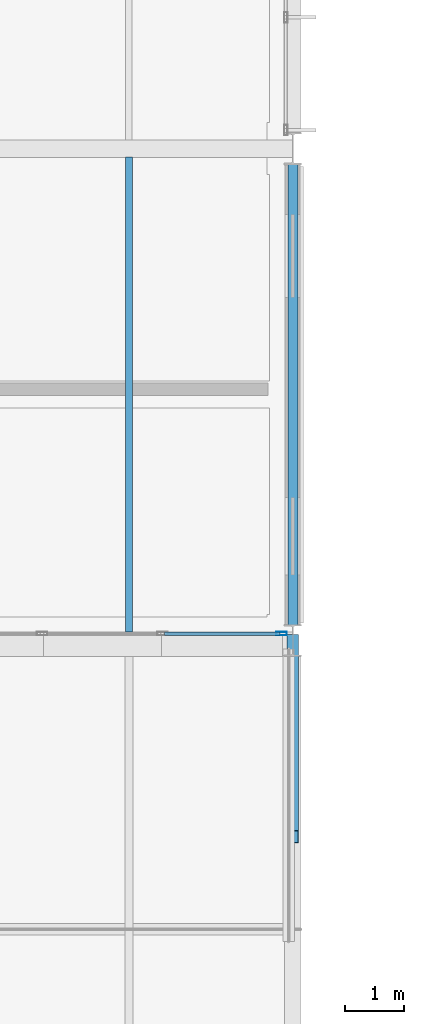
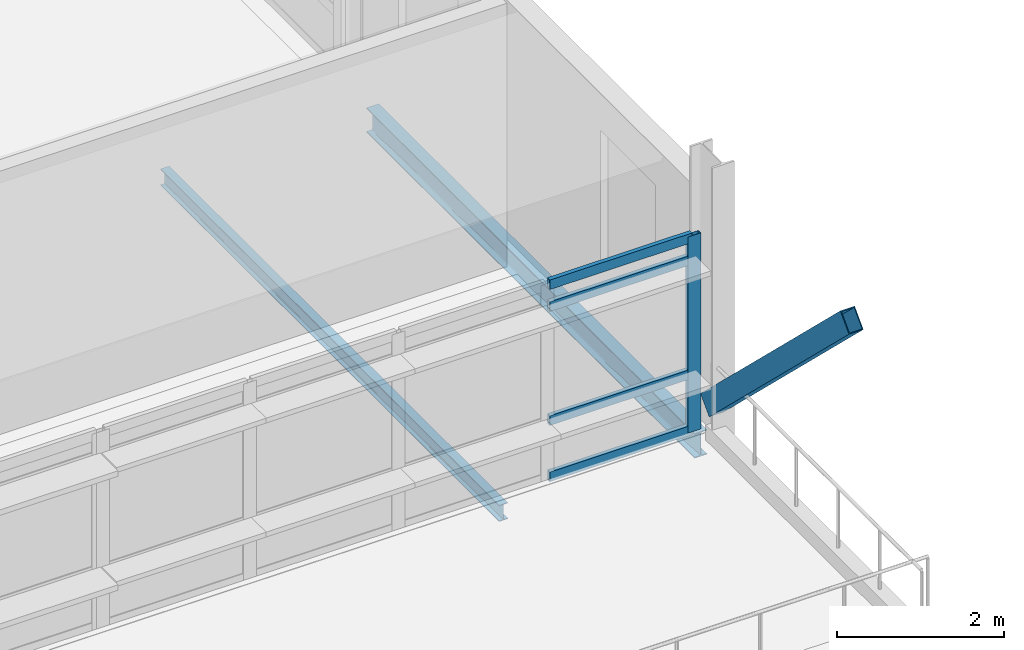
# One storey, part 34 of 103: 6 members, 2 beams, 1 element without a shape of its own.
"""IFC4 building model written with IfcOpenShell, lengths in metres."""

from ifc_helpers import new_model, si_unit, direction, frame, origin, origin_2d, place, context, subcontext, project, spatial, hollow_rectangle, i_section, extrude, material, material_profile, profile_set, type_object, element, aggregate, save


model = new_model("IFC4")

# Units and contexts
model_context = context("Model", 3, precision=1e-05, world=origin(), true_north=direction((0.0, 1.0)))
body_context = subcontext(model_context, "Body", "Model", "MODEL_VIEW")
ifc_project = project(units=[si_unit("LENGTHUNIT", "METRE"), si_unit("AREAUNIT", "SQUARE_METRE"), si_unit("VOLUMEUNIT", "CUBIC_METRE"), si_unit("PLANEANGLEUNIT", "RADIAN"), si_unit("MASSUNIT", "GRAM", prefix="KILO")], contexts=[model_context])

# Site, building, storey
site_placement = place(None, origin())
site = spatial("IfcSite", under=ifc_project, at=site_placement, CompositionType="ELEMENT")
building_placement = place(site_placement, origin())
building = spatial("IfcBuilding", under=site, at=building_placement, Name="Mersafa Astral City Hall", CompositionType="ELEMENT")
storey_placement = place(building_placement, frame((0.0, 0.0, 18.0)))
storey = spatial("IfcBuildingStorey", under=building, at=storey_placement, Name="L04", CompositionType="ELEMENT", Elevation=18.0)

# Curtain wall, members
ifc_material_1 = material(Name="Anodised bronze aluminium framing", Category="aluminium")
curtain_wall_type = type_object("IfcCurtainWallType", Name="ENV-CW-4", PredefinedType="USERDEFINED", material=ifc_material_1)
curtain_wall_placement = place(storey_placement, origin())
curtain_wall = element("IfcCurtainWall", 1, at=curtain_wall_placement, inside=storey, type_object=curtain_wall_type, Name="L04 Unitised solar curtain wall 213", ObjectType="UNITISED CURTAIN WALL", PredefinedType="USERDEFINED")
ifc_material_profile_1 = material_profile(ifc_material_1, hollow_rectangle(XDim=0.06005859375, YDim=0.179931640625, WallThickness=0.00390625, at=origin_2d()), Name="RHS 60x180x4")
ifc_profile_set_1 = profile_set([ifc_material_profile_1], Name="Anodised bronze aluminium framing")
member_type_1 = type_object("IfcMemberType", Name="ENV-CW-MUL-1", PredefinedType="MULLION", material=ifc_profile_set_1)
member_1_placement = place(storey_placement, frame((117.407958984375, 67.320068359375, -0.001953125), z_axis=(0.0, 0.0, 1.0), x_axis=(0.0, 1.0, 0.0)))
member_1 = element("IfcMember", 2, at=member_1_placement, type_object=member_type_1, Name="CW-4 mullion 5", PredefinedType="MULLION", context=body_context, shape_type="SweptSolid", body=[
    extrude(hollow_rectangle(XDim=0.06005859375, YDim=0.179931640625, WallThickness=0.00390625, at=origin_2d()), origin(), (0.0, 0.0, 1.0), 2.868896484375),
])
ifc_material_profile_2 = material_profile(ifc_material_1, hollow_rectangle(XDim=0.06005859375, YDim=0.139892578125, WallThickness=0.00390625, at=origin_2d()), Name="RHS 60x140x4")
ifc_profile_set_2 = profile_set([ifc_material_profile_2], Name="Anodised bronze aluminium framing")
member_type_2 = type_object("IfcMemberType", Name="ENV-CW-TRN-1", PredefinedType="USERDEFINED", material=ifc_profile_set_2)
member_2_placement = place(storey_placement, frame((115.408447265625, 67.320068359375, 0.028076171875), z_axis=(1.0, 0.0, 0.0), x_axis=(0.0, 1.0, 0.0)))
member_2 = element("IfcMember", 3, at=member_2_placement, type_object=member_type_2, Name="CW-4 transom 4.1", ObjectType="TRANSOM", PredefinedType="USERDEFINED", context=body_context, shape_type="SweptSolid", body=[
    extrude(hollow_rectangle(XDim=0.06005859375, YDim=0.139892578125, WallThickness=0.00390625, at=origin_2d()), origin(), (0.0, 0.0, 1.0), 1.969482421875),
])
member_3_placement = place(storey_placement, frame((115.408447265625, 67.320068359375, 0.85009765625), z_axis=(1.0, 0.0, 0.0), x_axis=(0.0, 1.0, 0.0)))
member_3 = element("IfcMember", 4, at=member_3_placement, type_object=member_type_2, Name="CW-4 transom 4.2", ObjectType="TRANSOM", PredefinedType="USERDEFINED", context=body_context, shape_type="SweptSolid", body=[
    extrude(hollow_rectangle(XDim=0.06005859375, YDim=0.139892578125, WallThickness=0.00390625, at=origin_2d()), origin(), (0.0, 0.0, 1.0), 1.969482421875),
])
member_4_placement = place(storey_placement, frame((115.408447265625, 67.320068359375, 2.51708984375), z_axis=(1.0, 0.0, 0.0), x_axis=(0.0, 1.0, 0.0)))
member_4 = element("IfcMember", 5, at=member_4_placement, type_object=member_type_2, Name="CW-4 transom 4.3", ObjectType="TRANSOM", PredefinedType="USERDEFINED", context=body_context, shape_type="SweptSolid", body=[
    extrude(hollow_rectangle(XDim=0.06005859375, YDim=0.139892578125, WallThickness=0.00390625, at=origin_2d()), origin(), (0.0, 0.0, 1.0), 1.969482421875),
])
member_5_placement = place(storey_placement, frame((115.408447265625, 67.320068359375, 2.8369140625), z_axis=(1.0, 0.0, 0.0), x_axis=(0.0, 1.0, 0.0)))
member_5 = element("IfcMember", 6, at=member_5_placement, type_object=member_type_2, Name="CW-4 transom 4.4", ObjectType="TRANSOM", PredefinedType="USERDEFINED", context=body_context, shape_type="SweptSolid", body=[
    extrude(hollow_rectangle(XDim=0.06005859375, YDim=0.139892578125, WallThickness=0.00390625, at=origin_2d()), origin(), (0.0, 0.0, 1.0), 1.969482421875),
])
aggregate(curtain_wall, [member_1, member_2, member_3, member_4, member_5])

# Beams
ifc_material_2 = material(Name="Steel S355", Category="steel")
ifc_material_profile_3 = material_profile(ifc_material_2, i_section(OverallWidth=0.1201171875, OverallDepth=0.239990234375, WebThickness=0.006103515625, FlangeThickness=0.009765625, FilletRadius=0.014892578125, at=origin_2d()), Name="IPE 240")
ifc_profile_set_3 = profile_set([ifc_material_profile_3], Name="Steel S355")
beam_type_1 = type_object("IfcBeamType", Name="STR-BM-JOIST-IPE240", PredefinedType="JOIST", material=ifc_profile_set_3)
beam_1_placement = place(storey_placement, frame((114.800048828125, 67.344970703125, -0.304931640625), z_axis=(0.0, 1.0, 0.0), x_axis=(-1.0, 0.0, 0.0)))
element("IfcBeam", 7, at=beam_1_placement, inside=storey, type_object=beam_type_1, Name="L04 Composite secondary floor joist 733", PredefinedType="JOIST", context=body_context, shape_type="SweptSolid", body=[
    extrude(i_section(OverallWidth=0.1201171875, OverallDepth=0.239990234375, WebThickness=0.006103515625, FlangeThickness=0.009765625, FilletRadius=0.014892578125, at=origin_2d()), origin(), (0.0, 0.0, 1.0), 8.110107421875),
])
ifc_material_profile_4 = material_profile(ifc_material_2, i_section(OverallWidth=0.169921875, OverallDepth=0.360107421875, WebThickness=0.008056640625, FlangeThickness=0.0126953125, FilletRadius=0.01806640625, at=origin_2d()), Name="IPE 360")
ifc_profile_set_4 = profile_set([ifc_material_profile_4], Name="Steel S355")
beam_type_2 = type_object("IfcBeamType", Name="STR-BM-SPANDREL-IPE360", PredefinedType="SPANDREL", material=ifc_profile_set_4)
beam_2_placement = place(storey_placement, frame((117.60009765625, 67.469970703125, -0.364990234375), z_axis=(0.0, 1.0, 0.0), x_axis=(-1.0, 0.0, 0.0)))
element("IfcBeam", 8, at=beam_2_placement, inside=storey, type_object=beam_type_2, Name="L04 Primary girder Y 14-8", PredefinedType="SPANDREL", context=body_context, shape_type="SweptSolid", body=[
    extrude(i_section(OverallWidth=0.169921875, OverallDepth=0.360107421875, WebThickness=0.008056640625, FlangeThickness=0.0126953125, FilletRadius=0.01806640625, at=origin_2d()), origin(), (0.0, 0.0, 1.0), 7.860107421875),
])

# Member
ifc_material_profile_5 = material_profile(ifc_material_2, hollow_rectangle(XDim=0.199951171875, YDim=0.300048828125, WallThickness=0.012451171875, at=origin_2d()), Name="RHS 200x300x12.5")
ifc_profile_set_5 = profile_set([ifc_material_profile_5], Name="Steel S355")
member_type_3 = type_object("IfcMemberType", Name="STR-MBR-STRUT-RHS200X300", PredefinedType="BRACE", material=ifc_profile_set_5)
member_6_placement = place(storey_placement, frame((117.60009765625, 67.199951171875, 0.39990234375), z_axis=(0.0, -0.718795502172, 0.695221566163), x_axis=(1.0, 0.0, 0.0)))
element("IfcMember", 9, at=member_6_placement, inside=storey, type_object=member_type_3, Name="L04 Raked cosmic eave strut ROOF-T4-V2 S-14", PredefinedType="BRACE", context=body_context, shape_type="SweptSolid", body=[
    extrude(hollow_rectangle(XDim=0.199951171875, YDim=0.300048828125, WallThickness=0.012451171875, at=origin_2d()), origin(), (0.0, 0.0, 1.0), 4.660400390625),
])

save(model, "model.ifc")
